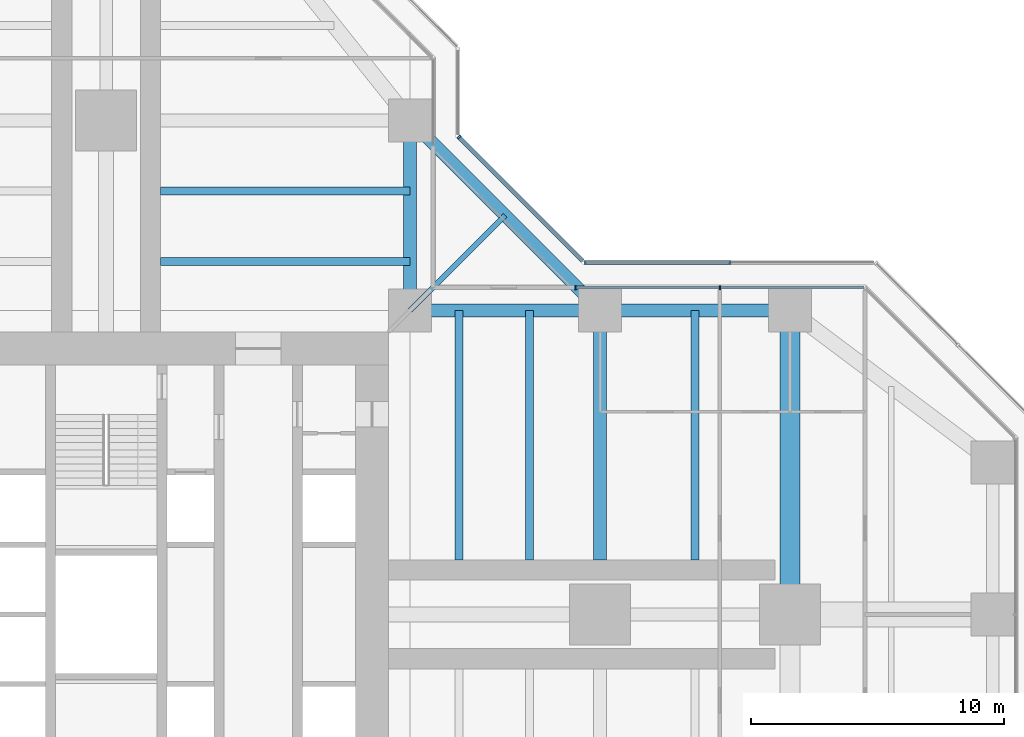
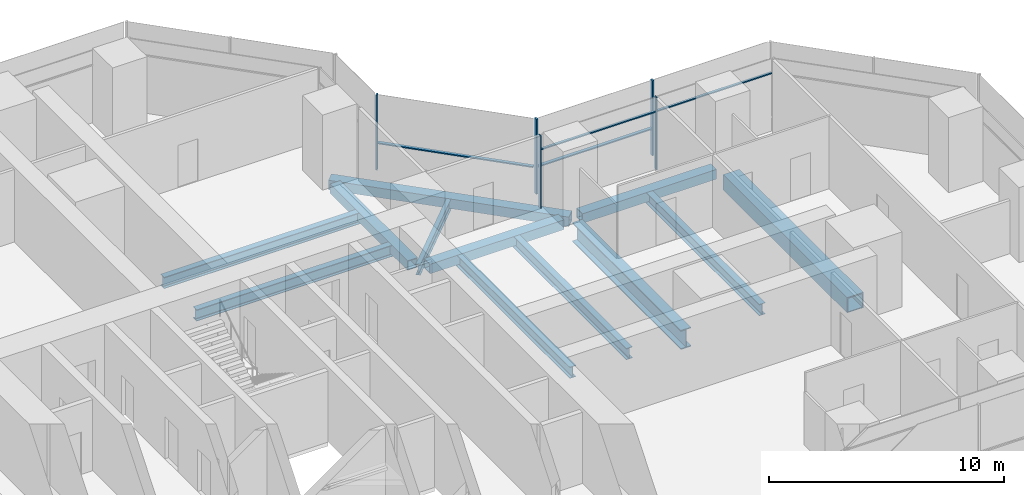
# One storey, part 9 of 20: 12 beams, 9 members, 3 elements without a shape of their own.
"""IFC4 building model written with IfcOpenShell, lengths in metres."""

import ifcopenshell
import ifcopenshell.guid

model = None  # the IFC model being written
_history = None  # IfcOwnerHistory: only IFC2X3 demands one
_inside = {}  # id of a spatial element -> (the spatial element, [elements in it])
_under = {}  # id of a project, library or spatial element -> (it, [spatial elements below it])
_declared = {}  # id of a project -> (the project, [libraries it declares])
_typed = {}  # id of a type object -> (the type object, [elements of that type])
_made_of = {}  # id of a material, layer set ... -> (it, [elements and type objects made of it])


def new_model(schema):
    """Start an empty IFC model of exactly this schema.

    Asked for "IFC4X3", IfcOpenShell would pick the latest addendum, in which some entities
    have other attributes; the version numbers below select the first issue.
    IFC2X3 requires an IfcOwnerHistory on every rooted entity: one is made here for all.
    """
    global model, _history
    if schema == "IFC4X3":
        model = ifcopenshell.file(schema_version=(4, 3, 0, 0))
    else:
        model = ifcopenshell.file(schema=schema)
    _inside.clear()
    _under.clear()
    _declared.clear()
    _typed.clear()
    _made_of.clear()
    _history = None
    if model.schema == "IFC2X3":
        org = make("IfcOrganization", Name="unknown")
        user = make(
            "IfcPersonAndOrganization",
            ThePerson=make("IfcPerson", FamilyName="unknown"),
            TheOrganization=org,
        )
        app = make(
            "IfcApplication",
            ApplicationDeveloper=org,
            Version="unknown",
            ApplicationFullName="unknown",
            ApplicationIdentifier="unknown",
        )
        _history = make(
            "IfcOwnerHistory",
            OwningUser=user,
            OwningApplication=app,
            ChangeAction="ADDED",
            CreationDate=0,
        )
    return model


def make(cls, **values):
    """One entity of the class cls with the attributes given. An attribute that is None is left unset."""
    return model.create_entity(
        cls, **{name: value for name, value in values.items() if value is not None}
    )


def rooted(cls, **values):
    """An entity with a GlobalId (a new one), such as an element, a storey or a relation."""
    return make(cls, GlobalId=ifcopenshell.guid.new(), OwnerHistory=_history, **values)


def si_unit(unit_type, name, prefix=None):
    """IfcSIUnit, for example si_unit("LENGTHUNIT", "METRE", prefix="MILLI")."""
    return make("IfcSIUnit", UnitType=unit_type, Prefix=prefix, Name=name)


def assignment(units):
    """IfcUnitAssignment: the units of a project."""
    return None if units is None else make("IfcUnitAssignment", Units=units)


def point(xyz):
    """IfcCartesianPoint."""
    return None if xyz is None else make("IfcCartesianPoint", Coordinates=xyz)


def direction(xyz):
    """IfcDirection."""
    return None if xyz is None else make("IfcDirection", DirectionRatios=xyz)


def frame(location, z_axis=None, x_axis=None):
    """IfcAxis2Placement3D, a coordinate frame: its origin and axes. An axis left out is left unset."""
    return make(
        "IfcAxis2Placement3D",
        Location=point(location),
        Axis=direction(z_axis),
        RefDirection=direction(x_axis),
    )


def frame_2d(location, x_axis=None):
    """IfcAxis2Placement2D, a coordinate frame in the plane: its origin and x axis."""
    return make(
        "IfcAxis2Placement2D", Location=point(location), RefDirection=direction(x_axis)
    )


def origin():
    """The frame at (0, 0, 0) with its axes left unset."""
    return frame((0.0, 0.0, 0.0))


def origin_2d():
    """The frame at (0, 0) in the plane with its x axis left unset."""
    return frame_2d((0.0, 0.0))


def place(relative_to, where):
    """IfcLocalPlacement: puts the frame where relative to a parent placement (None: the world)."""
    return make(
        "IfcLocalPlacement", PlacementRelTo=relative_to, RelativePlacement=where
    )


def context(
    kind, dimensions, precision=None, world=None, true_north=None, identifier=None
):
    """IfcGeometricRepresentationContext, for example the 3D "Model" context."""
    return make(
        "IfcGeometricRepresentationContext",
        ContextIdentifier=identifier,
        ContextType=kind,
        CoordinateSpaceDimension=dimensions,
        Precision=precision,
        WorldCoordinateSystem=world,
        TrueNorth=true_north,
    )


def subcontext(parent, identifier, kind, view, scale=None):
    """IfcGeometricRepresentationSubContext, for example "Body" below "Model"."""
    return make(
        "IfcGeometricRepresentationSubContext",
        ContextIdentifier=identifier,
        ContextType=kind,
        ParentContext=parent,
        TargetScale=scale,
        TargetView=view,
    )


def project(units=None, contexts=None):
    """IfcProject with its units and contexts."""
    return rooted(
        "IfcProject",
        Name="project",
        RepresentationContexts=contexts,
        UnitsInContext=assignment(units),
    )


def spatial(cls, under=None, at=None, **own):
    """A site, building, storey or space (cls), placed at a placement, below another one or the project."""
    s = rooted(cls, ObjectPlacement=at, **own)
    if under is not None:
        _under.setdefault(under.id(), (under, []))[1].append(s)
    return s


def profile(cls, at=None, kind="AREA", **sizes):
    """A parametric profile (cls). Its sizes go by their IFC names, for example OverallWidth=200.0."""
    return make(cls, ProfileType=kind, Position=at, **sizes)


def rectangle(**sizes):
    """IfcRectangleProfileDef."""
    return profile("IfcRectangleProfileDef", **sizes)


def hollow_rectangle(**sizes):
    """IfcRectangleHollowProfileDef."""
    return profile("IfcRectangleHollowProfileDef", **sizes)


def i_section(**sizes):
    """IfcIShapeProfileDef."""
    return profile("IfcIShapeProfileDef", **sizes)


def extrude(swept, where, along, depth):
    """IfcExtrudedAreaSolid: the profile swept, set in the frame where, extruded along a direction by depth."""
    return make(
        "IfcExtrudedAreaSolid",
        SweptArea=swept,
        Position=where,
        ExtrudedDirection=direction(along),
        Depth=depth,
    )


def shape(context_of_items, identifier, shape_type, items):
    """IfcShapeRepresentation: the items that make up one representation, for example the "Body"."""
    return make(
        "IfcShapeRepresentation",
        ContextOfItems=context_of_items,
        RepresentationIdentifier=identifier,
        RepresentationType=shape_type,
        Items=items,
    )


def material(Name=None, Category=None):
    """IfcMaterial."""
    return make("IfcMaterial", Name=Name, Category=Category)


def material_profile(
    of_material, cross_section, Name=None, Category=None, Priority=None
):
    """IfcMaterialProfile: a cross section and its material."""
    return make(
        "IfcMaterialProfile",
        Name=Name,
        Material=of_material,
        Profile=cross_section,
        Priority=Priority,
        Category=Category,
    )


def profile_set(profiles, Name=None, composite=None):
    """IfcMaterialProfileSet."""
    return make(
        "IfcMaterialProfileSet",
        Name=Name,
        MaterialProfiles=profiles,
        CompositeProfile=composite,
    )


def made_of(thing, what):
    """Note that an element or type object is made of a material, layer set ...; save() writes the relation."""
    if what is not None:
        _made_of.setdefault(what.id(), (what, []))[1].append(thing)
    return thing


def type_object(cls, material=None, **own):
    """A type object (cls), such as IfcWallType, which elements share."""
    return made_of(rooted(cls, **own), material)


def element(
    cls,
    number,
    at=None,
    inside=None,
    cuts=None,
    type_object=None,
    material=None,
    context=None,
    identifier="Body",
    shape_type=None,
    held_by="IfcProductDefinitionShape",
    body=None,
    shapes=None,
    **own,
):
    """One element of the class cls, such as IfcWall. Its Tag is "e" and its number.

    at: its placement. inside: the storey or other place that contains it. cuts: it is an
    opening in that element (IfcRelVoidsElement). A single representation is given by context,
    identifier, shape_type and body (its items); several are given by shapes. held_by: the class
    of the entity that holds the representations. save() writes the other relations.
    """
    e = rooted(cls, Tag="e%d" % number, ObjectPlacement=at, **own)
    if body is not None:
        shapes = [shape(context, identifier, shape_type, body)]
    if shapes is not None:
        e.Representation = make(held_by, Representations=shapes)
    if inside is not None:
        _inside.setdefault(inside.id(), (inside, []))[1].append(e)
    if cuts is not None:
        rooted(
            "IfcRelVoidsElement", RelatingBuildingElement=cuts, RelatedOpeningElement=e
        )
    if type_object is not None:
        _typed.setdefault(type_object.id(), (type_object, []))[1].append(e)
    return made_of(e, material)


def aggregate(whole, parts):
    """IfcRelAggregates: a whole, such as a stair, and the parts it consists of."""
    return rooted("IfcRelAggregates", RelatingObject=whole, RelatedObjects=parts)


def save(model, path):
    """Write the relations noted so far, then the file.

    IfcRelAggregates (storeys below a building ...), IfcRelContainedInSpatialStructure (elements
    in a storey), IfcRelDefinesByType, IfcRelAssociatesMaterial and IfcRelDeclares: one each for
    every whole, place, type object, material and project.
    """
    for whole, parts in _under.values():
        aggregate(whole, parts)
    for where, things in _inside.values():
        rooted(
            "IfcRelContainedInSpatialStructure",
            RelatedElements=things,
            RelatingStructure=where,
        )
    for kind, things in _typed.values():
        rooted("IfcRelDefinesByType", RelatedObjects=things, RelatingType=kind)
    for what, things in _made_of.values():
        rooted("IfcRelAssociatesMaterial", RelatedObjects=things, RelatingMaterial=what)
    for by, libraries in _declared.values():
        rooted("IfcRelDeclares", RelatingContext=by, RelatedDefinitions=libraries)
    model.write(path)


model = new_model("IFC4")

# Units and contexts
model_context = context("Model", 3, precision=1e-05, world=origin(), true_north=direction((0.0, 1.0)))
body_context = subcontext(model_context, "Body", "Model", "MODEL_VIEW")
ifc_project = project(units=[si_unit("LENGTHUNIT", "METRE"), si_unit("AREAUNIT", "SQUARE_METRE"), si_unit("VOLUMEUNIT", "CUBIC_METRE"), si_unit("PLANEANGLEUNIT", "RADIAN"), si_unit("MASSUNIT", "GRAM", prefix="KILO")], contexts=[model_context])

# Site, building, storey
site_placement = place(None, origin())
site = spatial("IfcSite", under=ifc_project, at=site_placement, CompositionType="ELEMENT")
building_placement = place(site_placement, origin())
building = spatial("IfcBuilding", under=site, at=building_placement, Name="Mizan Broadcast Tower", CompositionType="ELEMENT")
storey_placement = place(building_placement, frame((0.0, 0.0, 143.699951171875)))
storey = spatial("IfcBuildingStorey", under=building, at=storey_placement, Name="L32", CompositionType="ELEMENT", Elevation=143.699951171875)

# Beams
ifc_material_1 = material(Name="Steel S355", Category="steel")
ifc_material_profile_1 = material_profile(ifc_material_1, hollow_rectangle(XDim=0.5, YDim=0.5, WallThickness=0.030029296875, at=origin_2d()), Name="BOX 500x500x30")
ifc_profile_set_1 = profile_set([ifc_material_profile_1], Name="Steel S355")
beam_type_1 = type_object("IfcBeamType", Name="EDGE BEAM BOX 500x500x30", PredefinedType="SPANDREL", material=ifc_profile_set_1)
for number, where, z_axis, x_axis, name in (
    (1, (12.449951171875, 12.0, -0.3798828125), (1.0, 0.0, 0.0), (0.0, 1.0, 0.0), "Edge beam BOX 500x500x30 L32 east arm"),
    (2, (19.949951171875, 12.0, -0.3798828125), (1.0, 0.0, 0.0), (0.0, 1.0, 0.0), "Edge beam BOX 500x500x30 L32 east arm"),
    (3, (12.0, 12.449951171875, -0.3798828125), (0.0, 1.0, 0.0), (-1.0, 0.0, 0.0), "Edge beam BOX 500x500x30 L32 north arm"),
):
    element("IfcBeam", number, at=place(storey_placement, frame(where, z_axis=z_axis, x_axis=x_axis)), inside=storey, type_object=beam_type_1, Name=name, PredefinedType="SPANDREL", context=body_context, shape_type="SweptSolid", body=[
        extrude(hollow_rectangle(XDim=0.5, YDim=0.5, WallThickness=0.030029296875, at=origin_2d()), origin(), (0.0, 0.0, 1.0), 6.60009765625),
    ])
beam_1_placement = place(storey_placement, frame((19.5, 12.0, -0.3798828125), z_axis=(-0.707106781187, 0.707106781187, 0.0), x_axis=(-0.707106781187, -0.707106781187, 0.0)))
element("IfcBeam", 4, at=beam_1_placement, inside=storey, type_object=beam_type_1, Name="Winter garden edge beam L32 E", PredefinedType="SPANDREL", context=body_context, shape_type="SweptSolid", body=[
    extrude(hollow_rectangle(XDim=0.5, YDim=0.5, WallThickness=0.030029296875, at=origin_2d()), origin(), (0.0, 0.0, 1.0), 10.606689453125),
])
ifc_material_2 = material(Name="Steel S460", Category="steel")
ifc_material_profile_2 = material_profile(ifc_material_2, hollow_rectangle(XDim=0.800048828125, YDim=0.800048828125, WallThickness=0.050048828125, at=origin_2d()), Name="BOX 800x800x50")
ifc_profile_set_2 = profile_set([ifc_material_profile_2], Name="Steel S460")
beam_type_2 = type_object("IfcBeamType", Name="GIRDER BOX 800x800x50", PredefinedType="BEAM", material=ifc_profile_set_2)
beam_2_placement = place(storey_placement, frame((27.0, 11.280029296875, -0.530029296875), z_axis=(0.0, -1.0, 0.0), x_axis=(1.0, 0.0, 0.0)))
element("IfcBeam", 5, at=beam_2_placement, inside=storey, type_object=beam_type_2, Name="Girder BOX 800x800x50 L32 east arm", PredefinedType="BEAM", context=body_context, shape_type="SweptSolid", body=[
    extrude(hollow_rectangle(XDim=0.800048828125, YDim=0.800048828125, WallThickness=0.050048828125, at=origin_2d()), origin(), (0.0, 0.0, 1.0), 10.56005859375),
])
ifc_material_3 = material(Name="Steel S460", Category="steel")
ifc_material_profile_3 = material_profile(ifc_material_3, i_section(OverallWidth=0.5, OverallDepth=1.0, WebThickness=0.02490234375, FlangeThickness=0.050048828125, at=origin_2d()), Name="WPG 1000x500")
ifc_profile_set_3 = profile_set([ifc_material_profile_3], Name="Steel S460")
beam_type_3 = type_object("IfcBeamType", Name="GIRDER WPG 1000x500", PredefinedType="BEAM", material=ifc_profile_set_3)
beam_3_placement = place(storey_placement, frame((19.5, 11.408935546875, -0.6298828125), z_axis=(0.0, -1.0, 0.0), x_axis=(1.0, 0.0, 0.0)))
element("IfcBeam", 6, at=beam_3_placement, inside=storey, type_object=beam_type_3, Name="Girder WPG 1000x500 L32 east arm", PredefinedType="BEAM", context=body_context, shape_type="SweptSolid", body=[
    extrude(i_section(OverallWidth=0.5, OverallDepth=1.0, WebThickness=0.02490234375, FlangeThickness=0.050048828125, at=origin_2d()), origin(), (0.0, 0.0, 1.0), 9.259033203125),
])

# Curtain wall, members
ifc_material_4 = material(Name="Aluminium framed glazing", Category="aluminium")
curtain_wall_type_1 = type_object("IfcCurtainWallType", Name="INNER SKIN MID ZONE", PredefinedType="USERDEFINED", material=ifc_material_4)
curtain_wall_1_placement = place(storey_placement, origin())
curtain_wall_1 = element("IfcCurtainWall", 7, at=curtain_wall_1_placement, inside=storey, type_object=curtain_wall_type_1, Name="Inner skin mid zone L32 E side", ObjectType="INNER SKIN MID ZONE", PredefinedType="USERDEFINED")
ifc_material_5 = material(Name="Aluminium, pale anodised", Category="aluminium")
ifc_material_profile_4 = material_profile(ifc_material_5, rectangle(XDim=0.159912109375, YDim=0.06005859375, at=origin_2d()), Name="MULLION 160x60")
ifc_profile_set_4 = profile_set([ifc_material_profile_4], Name="Aluminium, pale anodised")
member_type_1 = type_object("IfcMemberType", Name="INNER SKIN MULLION 60x160", PredefinedType="MULLION", material=ifc_profile_set_4)
member_1_placement = place(storey_placement, frame((24.229248046875, 12.89990234375, 0.0), z_axis=(0.0, 0.0, 1.0), x_axis=(0.0, -1.0, 0.0)))
member_1 = element("IfcMember", 8, at=member_1_placement, type_object=member_type_1, Name="Inner skin mid zone L32 E side mullion 2", PredefinedType="MULLION", context=body_context, shape_type="SweptSolid", body=[
    extrude(rectangle(XDim=0.159912109375, YDim=0.06005859375, at=origin_2d()), origin(), (0.0, 0.0, 1.0), 3.77001953125),
])
member_2_placement = place(storey_placement, frame((18.530029296875, 12.89990234375, 0.0), z_axis=(0.0, 0.0, 1.0), x_axis=(0.0, -1.0, 0.0)))
member_2 = element("IfcMember", 9, at=member_2_placement, type_object=member_type_1, Name="Inner skin mid zone L32 E side mullion 3", PredefinedType="MULLION", context=body_context, shape_type="SweptSolid", body=[
    extrude(rectangle(XDim=0.159912109375, YDim=0.06005859375, at=origin_2d()), origin(), (0.0, 0.0, 1.0), 3.77001953125),
])
ifc_material_6 = material(Name="Aluminium, pale anodised", Category="aluminium")
ifc_material_profile_5 = material_profile(ifc_material_6, rectangle(XDim=0.1201171875, YDim=0.06005859375, at=origin_2d()), Name="TRANSOM 120x60")
ifc_profile_set_5 = profile_set([ifc_material_profile_5], Name="Aluminium, pale anodised")
member_type_2 = type_object("IfcMemberType", Name="INNER SKIN TRANSOM 60x120", PredefinedType="USERDEFINED", material=ifc_profile_set_5)
member_3_placement = place(storey_placement, frame((29.898681640625, 12.89990234375, 3.030029296875), z_axis=(-1.0, 0.0, 0.0), x_axis=(0.0, -1.0, 0.0)))
member_3 = element("IfcMember", 10, at=member_3_placement, type_object=member_type_2, Name="Inner skin mid zone L32 E side transom 1.1", ObjectType="TRANSOM", PredefinedType="USERDEFINED", context=body_context, shape_type="SweptSolid", body=[
    extrude(rectangle(XDim=0.1201171875, YDim=0.06005859375, at=origin_2d()), origin(), (0.0, 0.0, 1.0), 5.639404296875),
])
member_4_placement = place(storey_placement, frame((24.19921875, 12.89990234375, 3.030029296875), z_axis=(-1.0, 0.0, 0.0), x_axis=(0.0, -1.0, 0.0)))
member_4 = element("IfcMember", 11, at=member_4_placement, type_object=member_type_2, Name="Inner skin mid zone L32 E side transom 2.1", ObjectType="TRANSOM", PredefinedType="USERDEFINED", context=body_context, shape_type="SweptSolid", body=[
    extrude(rectangle(XDim=0.1201171875, YDim=0.06005859375, at=origin_2d()), origin(), (0.0, 0.0, 1.0), 5.63916015625),
])
aggregate(curtain_wall_1, [member_1, member_2, member_3, member_4])

ifc_material_7 = material(Name="Aluminium framed glazing", Category="aluminium")
curtain_wall_type_2 = type_object("IfcCurtainWallType", Name="OUTER SKIN", PredefinedType="USERDEFINED", material=ifc_material_7)
curtain_wall_2_placement = place(storey_placement, origin())
curtain_wall_2 = element("IfcCurtainWall", 12, at=curtain_wall_2_placement, inside=storey, type_object=curtain_wall_type_2, Name="Outer skin L32 E side", ObjectType="OUTER SKIN", PredefinedType="USERDEFINED")
ifc_material_8 = material(Name="Aluminium, pale anodised", Category="aluminium")
ifc_material_profile_6 = material_profile(ifc_material_8, rectangle(XDim=0.159912109375, YDim=0.080078125, at=origin_2d()), Name="MULLION 160x80")
ifc_profile_set_6 = profile_set([ifc_material_profile_6], Name="Aluminium, pale anodised")
member_type_3 = type_object("IfcMemberType", Name="OUTER SKIN MULLION 80x160", PredefinedType="MULLION", material=ifc_profile_set_6)
member_5_placement = place(storey_placement, frame((24.622802734375, 13.89990234375, 0.0), z_axis=(0.0, 0.0, 1.0), x_axis=(0.0, -1.0, 0.0)))
member_5 = element("IfcMember", 13, at=member_5_placement, type_object=member_type_3, Name="Outer skin L32 E side mullion 2", PredefinedType="MULLION", context=body_context, shape_type="SweptSolid", body=[
    extrude(rectangle(XDim=0.159912109375, YDim=0.080078125, at=origin_2d()), origin(), (0.0, 0.0, 1.0), 3.900146484375),
])
member_6_placement = place(storey_placement, frame((18.912841796875, 13.89990234375, 0.0), z_axis=(0.0, 0.0, 1.0), x_axis=(0.0, -1.0, 0.0)))
member_6 = element("IfcMember", 14, at=member_6_placement, type_object=member_type_3, Name="Outer skin L32 E side mullion 3", PredefinedType="MULLION", context=body_context, shape_type="SweptSolid", body=[
    extrude(rectangle(XDim=0.159912109375, YDim=0.080078125, at=origin_2d()), origin(), (0.0, 0.0, 1.0), 3.900146484375),
])

# Curtain wall, member
curtain_wall_3_placement = place(storey_placement, origin())
curtain_wall_3 = element("IfcCurtainWall", 15, at=curtain_wall_3_placement, inside=storey, type_object=curtain_wall_type_2, Name="Outer skin L32 E chamfer", ObjectType="OUTER SKIN", PredefinedType="USERDEFINED")
member_7_placement = place(storey_placement, frame((13.92822265625, 18.844482421875, 0.0), z_axis=(0.0, 0.0, 1.0), x_axis=(-0.707106781187, -0.707106781187, 0.0)))
member_7 = element("IfcMember", 16, at=member_7_placement, type_object=member_type_3, Name="Outer skin L32 E chamfer mullion 2", PredefinedType="MULLION", context=body_context, shape_type="SweptSolid", body=[
    extrude(rectangle(XDim=0.159912109375, YDim=0.080078125, at=origin_2d()), origin(), (0.0, 0.0, 1.0), 3.900146484375),
])

# Member
ifc_material_9 = material(Name="Aluminium, pale anodised", Category="aluminium")
ifc_material_profile_7 = material_profile(ifc_material_9, rectangle(XDim=0.159912109375, YDim=0.06005859375, at=origin_2d()), Name="TRANSOM 160x60")
ifc_profile_set_7 = profile_set([ifc_material_profile_7], Name="Aluminium, pale anodised")
member_type_4 = type_object("IfcMemberType", Name="OUTER SKIN TRANSOM 60x160", PredefinedType="USERDEFINED", material=ifc_profile_set_7)
member_8_placement = place(storey_placement, frame((24.582763671875, 13.89990234375, 1.400146484375), z_axis=(-1.0, 0.0, 0.0), x_axis=(0.0, -1.0, 0.0)))
member_8 = element("IfcMember", 17, at=member_8_placement, type_object=member_type_4, Name="Outer skin L32 E side transom 2.1", ObjectType="TRANSOM", PredefinedType="USERDEFINED", context=body_context, shape_type="SweptSolid", body=[
    extrude(rectangle(XDim=0.159912109375, YDim=0.06005859375, at=origin_2d()), origin(), (0.0, 0.0, 1.0), 5.6298828125),
])

aggregate(curtain_wall_2, [member_5, member_6, member_8])

member_9_placement = place(storey_placement, frame((18.816162109375, 13.95654296875, 1.400146484375), z_axis=(-0.707106781187, 0.707106781187, 0.0), x_axis=(-0.707106781187, -0.707106781187, 0.0)))
member_9 = element("IfcMember", 18, at=member_9_placement, type_object=member_type_4, Name="Outer skin L32 E chamfer transom 1.1", ObjectType="TRANSOM", PredefinedType="USERDEFINED", context=body_context, shape_type="SweptSolid", body=[
    extrude(rectangle(XDim=0.159912109375, YDim=0.06005859375, at=origin_2d()), origin(), (0.0, 0.0, 1.0), 6.87255859375),
])

aggregate(curtain_wall_3, [member_7, member_9])

# Beams
ifc_material_10 = material(Name="Steel S355", Category="steel")
ifc_material_profile_8 = material_profile(ifc_material_10, i_section(OverallWidth=0.300048828125, OverallDepth=0.590087890625, WebThickness=0.012939453125, FlangeThickness=0.02490234375, FilletRadius=0.027099609375, at=origin_2d()), Name="HEA 600")
ifc_profile_set_8 = profile_set([ifc_material_profile_8], Name="Steel S355")
beam_type_4 = type_object("IfcBeamType", Name="SECONDARY BEAM HEA 600", PredefinedType="JOIST", material=ifc_profile_set_8)
for number, where, z_axis, x_axis, name in (
    (19, (13.933349609375, 12.0, -0.425048828125), (0.0, -1.0, 0.0), (1.0, 0.0, 0.0), "Secondary beam HEA 600 L32 east arm"),
    (20, (16.716552734375, 12.0, -0.425048828125), (0.0, -1.0, 0.0), (1.0, 0.0, 0.0), "Secondary beam HEA 600 L32 east arm"),
    (21, (23.25, 12.0, -0.425048828125), (0.0, -1.0, 0.0), (1.0, 0.0, 0.0), "Secondary beam HEA 600 L32 east arm"),
    (22, (12.0, 13.933349609375, -0.425048828125), (-1.0, 0.0, 0.0), (0.0, -1.0, 0.0), "Secondary beam HEA 600 L32 north arm"),
    (23, (12.0, 16.716552734375, -0.425048828125), (-1.0, 0.0, 0.0), (0.0, -1.0, 0.0), "Secondary beam HEA 600 L32 north arm"),
):
    element("IfcBeam", number, at=place(storey_placement, frame(where, z_axis=z_axis, x_axis=x_axis)), inside=storey, type_object=beam_type_4, Name=name, PredefinedType="JOIST", context=body_context, shape_type="SweptSolid", body=[
        extrude(i_section(OverallWidth=0.300048828125, OverallDepth=0.590087890625, WebThickness=0.012939453125, FlangeThickness=0.02490234375, FilletRadius=0.027099609375, at=origin_2d()), origin(), (0.0, 0.0, 1.0), 9.85009765625),
    ])
ifc_material_11 = material(Name="Steel S355", Category="steel")
ifc_material_profile_9 = material_profile(ifc_material_11, i_section(OverallWidth=0.2099609375, OverallDepth=0.550048828125, WebThickness=0.010986328125, FlangeThickness=0.01708984375, FilletRadius=0.02392578125, at=origin_2d()), Name="IPE 550")
ifc_profile_set_9 = profile_set([ifc_material_profile_9], Name="Steel S355")
beam_type_5 = type_object("IfcBeamType", Name="SECONDARY BEAM IPE 550", PredefinedType="JOIST", material=ifc_profile_set_9)
beam_4_placement = place(storey_placement, frame((12.0, 12.0, -0.405029296875), z_axis=(0.707106781187, 0.707106781187, 0.0), x_axis=(-0.707106781187, 0.707106781187, 0.0)))
element("IfcBeam", 24, at=beam_4_placement, inside=storey, type_object=beam_type_5, Name="Winter garden beam L32 E", PredefinedType="JOIST", context=body_context, shape_type="SweptSolid", body=[
    extrude(i_section(OverallWidth=0.2099609375, OverallDepth=0.550048828125, WebThickness=0.010986328125, FlangeThickness=0.01708984375, FilletRadius=0.02392578125, at=origin_2d()), origin(), (0.0, 0.0, 1.0), 5.30322265625),
])

save(model, "model.ifc")
